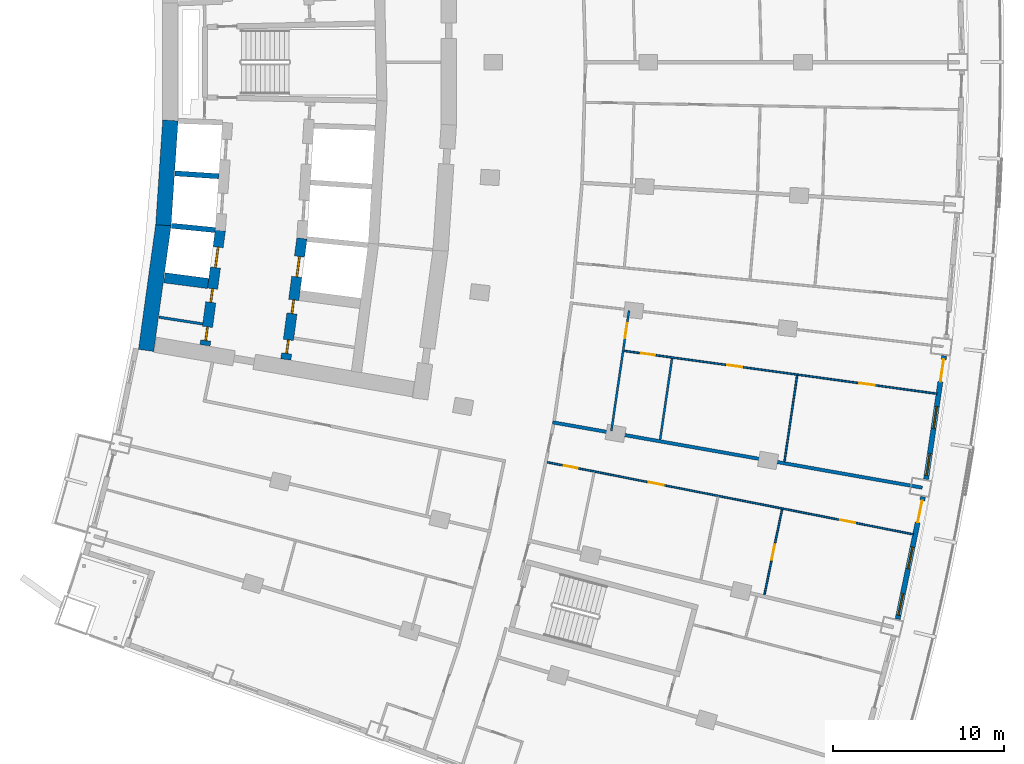
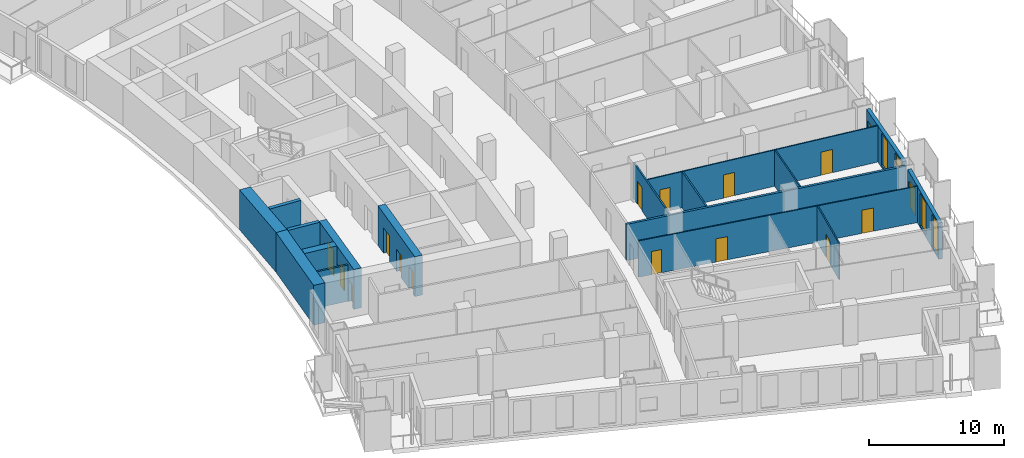
# One storey, part 15 of 25: 17 walls, 16 doors, 4 windows, 20 openings.
"""IFC4 building model written with IfcOpenShell, lengths in metres."""

from ifc_helpers import new_model, si_unit, direction, frame, frame_2d, origin, place, context, subcontext, project, spatial, rectangle, extrude, material, layer, layer_set, type_object, element, fill, save


model = new_model("IFC4")

# Units and contexts
model_context = context("Model", 3, precision=1e-05, world=origin(), true_north=direction((0.0, 1.0)))
body_context = subcontext(model_context, "Body", "Model", "MODEL_VIEW")
ifc_project = project(units=[si_unit("LENGTHUNIT", "METRE"), si_unit("AREAUNIT", "SQUARE_METRE"), si_unit("VOLUMEUNIT", "CUBIC_METRE"), si_unit("PLANEANGLEUNIT", "RADIAN"), si_unit("MASSUNIT", "GRAM", prefix="KILO")], contexts=[model_context])

# Site, building, storey
site_placement = place(None, origin())
site = spatial("IfcSite", under=ifc_project, at=site_placement, CompositionType="ELEMENT")
building_placement = place(site_placement, origin())
building = spatial("IfcBuilding", under=site, at=building_placement, Name="Alderwake Tower", CompositionType="ELEMENT")
storey_placement = place(building_placement, frame((0.0, 0.0, 46.39990234375)))
storey = spatial("IfcBuildingStorey", under=building, at=storey_placement, Name="L10", CompositionType="ELEMENT", Elevation=46.39990234375)

# Walls
ifc_material_1 = material(Name="Gypsum shaft wall system, rated")
ifc_layer_1 = layer(ifc_material_1, 0.14990234375)
ifc_layer_set_1 = layer_set([ifc_layer_1], Name="Core room partition 150")
wall_type_1 = type_object("IfcWallType", Name="Core room partition 150", PredefinedType="PARTITIONING", material=ifc_layer_set_1)
wall_1_placement = place(storey_placement, frame((16.2216796875, 46.0673828125, 0.0), z_axis=(0.0, 0.0, 1.0), x_axis=(0.988167260949, -0.153380130356, 0.0)))
element("IfcWall", 1, at=wall_1_placement, inside=storey, type_object=wall_type_1, Name="CW/L10/PR-161_+0", PredefinedType="PARTITIONING", context=body_context, shape_type="SweptSolid", body=[
    extrude(rectangle(XDim=2.593017578125, YDim=0.14990234375, at=frame_2d((1.29638671875, 0.0))), origin(), (0.0, 0.0, 1.0), 3.280029296875),
])
ifc_material_2 = material(Name="Concrete C70/85", Category="concrete")
ifc_layer_2 = layer(ifc_material_2, 0.89990234375)
ifc_layer_set_2 = layer_set([ifc_layer_2], Name="Core wall outer 900 C70-85")
wall_type_2 = type_object("IfcWallType", Name="Core wall outer 900 C70-85", PredefinedType="SHEAR", material=ifc_layer_set_2)
wall_2_placement = place(storey_placement, frame((15.46923828125, 44.1201171875, 0.0), z_axis=(0.0, 0.0, 1.0), x_axis=(0.136337234661, 0.990662484626, 0.0)))
element("IfcWall", 2, at=wall_2_placement, inside=storey, type_object=wall_type_2, Name="Core wall CW.042", PredefinedType="SHEAR", context=body_context, shape_type="SweptSolid", body=[
    extrude(rectangle(XDim=7.431396484375, YDim=0.89990234375, at=frame_2d((3.7158203125, 0.0))), origin(), (0.0, 0.0, 1.0), 3.60009765625),
])
wall_3_placement = place(storey_placement, frame((16.47900390625, 51.449951171875, 0.0), z_axis=(0.0, 0.0, 1.0), x_axis=(0.06689316208, 0.997760143956, 0.0)))
element("IfcWall", 3, at=wall_3_placement, inside=storey, type_object=wall_type_2, Name="Core wall CW.041", PredefinedType="SHEAR", context=body_context, shape_type="SweptSolid", body=[
    extrude(rectangle(XDim=6.149658203125, YDim=0.89990234375, at=frame_2d((3.07470703125, 0.0))), origin(), (0.0, 0.0, 1.0), 3.60009765625),
])
ifc_material_3 = material(Name="Concrete C70/85", Category="concrete")
ifc_layer_3 = layer(ifc_material_3, 0.300048828125)
ifc_layer_set_3 = layer_set([ifc_layer_3], Name="Core wall shaft 300 C70-85")
wall_type_3 = type_object("IfcWallType", Name="Core wall shaft 300 C70-85", PredefinedType="SHEAR", material=ifc_layer_set_3)
wall_4_placement = place(storey_placement, frame((16.9580078125, 51.4189453125, 0.0), z_axis=(0.0, 0.0, 1.0), x_axis=(0.995153154577, -0.098337169657, 0.0)))
element("IfcWall", 4, at=wall_4_placement, inside=storey, type_object=wall_type_3, Name="Core wall CW.065", PredefinedType="SHEAR", context=body_context, shape_type="SweptSolid", body=[
    extrude(rectangle(XDim=2.569580078125, YDim=0.300048828125, at=frame_2d((1.28466796875, 0.0))), origin(), (0.0, 0.0, 1.0), 3.60009765625),
])
wall_5_placement = place(storey_placement, frame((17.16357421875, 54.486083984375, 0.0), z_axis=(0.0, 0.0, 1.0), x_axis=(0.997758581961, -0.066916456292, 0.0)))
element("IfcWall", 5, at=wall_5_placement, inside=storey, type_object=wall_type_3, Name="Core wall CW.079", PredefinedType="SHEAR", context=body_context, shape_type="SweptSolid", body=[
    extrude(rectangle(XDim=2.568603515625, YDim=0.300048828125, at=frame_2d((1.2841796875, 0.0))), origin(), (0.0, 0.0, 1.0), 3.60009765625),
])

# Wall, openings, doors
ifc_material_4 = material(Name="Concrete C70/85", Category="concrete")
ifc_layer_4 = layer(ifc_material_4, 0.60009765625)
ifc_layer_set_4 = layer_set([ifc_layer_4], Name="Core wall spine 600 C70-85")
wall_type_4 = type_object("IfcWallType", Name="Core wall spine 600 C70-85", PredefinedType="SHEAR", material=ifc_layer_set_4)
wall_6_placement = place(storey_placement, frame((19.815185546875, 51.14697265625, 0.0), z_axis=(0.0, 0.0, 1.0), x_axis=(-0.131854836214, -0.991269036219, 0.0)))
wall_6 = element("IfcWall", 6, at=wall_6_placement, inside=storey, type_object=wall_type_4, Name="Core wall CW.033", PredefinedType="SHEAR", context=body_context, shape_type="SweptSolid", body=[
    extrude(rectangle(XDim=6.782470703125, YDim=0.60009765625, at=frame_2d((3.39111328125, 0.0))), origin(), (0.0, 0.0, 1.0), 3.60009765625),
])
opening_1_placement = place(wall_6_placement, frame((0.9921875, 0.0, 0.0)))
opening_1 = element("IfcOpeningElement", 7, at=opening_1_placement, cuts=wall_6, Name="Opening LD-LP1", PredefinedType="OPENING", context=body_context, shape_type="SweptSolid", body=[
    extrude(rectangle(XDim=1.199951171875, YDim=2.300048828125, at=frame_2d((0.60009765625, 1.14990234375))), frame((0.0, 0.31005859375, 0.0), z_axis=(0.0, -1.0, 0.0), x_axis=(1.0, 0.0, 0.0)), (0.0, 0.0, 1.0), 0.6201171875),
])
opening_2_placement = place(wall_6_placement, frame((5.699951171875, 0.0, 0.0)))
opening_2 = element("IfcOpeningElement", 8, at=opening_2_placement, cuts=wall_6, Name="Opening C009", PredefinedType="OPENING", context=body_context, shape_type="SweptSolid", body=[
    extrude(rectangle(XDim=0.800048828125, YDim=2.0, at=frame_2d((0.39990234375, 1.0))), frame((0.0, 0.31005859375, 0.0), z_axis=(0.0, -1.0, 0.0), x_axis=(1.0, 0.0, 0.0)), (0.0, 0.0, 1.0), 0.6201171875),
])
opening_3_placement = place(wall_6_placement, frame((3.4462890625, 0.0, 0.0)))
opening_3 = element("IfcOpeningElement", 9, at=opening_3_placement, cuts=wall_6, Name="Opening C010", PredefinedType="OPENING", context=body_context, shape_type="SweptSolid", body=[
    extrude(rectangle(XDim=0.800048828125, YDim=2.0, at=frame_2d((0.39990234375, 1.0))), frame((0.0, 0.31005859375, 0.0), z_axis=(0.0, -1.0, 0.0), x_axis=(1.0, 0.0, 0.0)), (0.0, 0.0, 1.0), 0.6201171875),
])
ifc_material_5 = material(Name="Stainless steel sliding leaf", Category="steel")
door_type_1 = type_object("IfcDoorType", Name="Lift landing door 1200", OperationType="SLIDING_TO_LEFT", PredefinedType="DOOR", material=ifc_material_5)
door_1_placement = place(opening_1_placement, origin())
door_1 = element("IfcDoor", 10, at=door_1_placement, inside=storey, type_object=door_type_1, Name="Lift landing door LP1", OperationType="SLIDING_TO_LEFT", OverallHeight=2.300048828125, OverallWidth=1.199951171875, PredefinedType="DOOR", context=body_context, shape_type="SweptSolid", body=[
    extrude(rectangle(XDim=1.199951171875, YDim=2.300048828125, at=frame_2d((0.60009765625, 1.14990234375))), frame((0.0, 0.050048828125, 0.0), z_axis=(0.0, -1.0, 0.0), x_axis=(1.0, 0.0, 0.0)), (0.0, 0.0, 1.0), 0.10009765625),
])
fill(opening_1, door_1)
ifc_material_6 = material(Name="Painted steel leaf, rated", Category="steel")
door_type_2 = type_object("IfcDoorType", Name="Riser access door 800", OperationType="SINGLE_SWING_LEFT", PredefinedType="DOOR", material=ifc_material_6)
door_2_placement = place(opening_2_placement, origin())
door_2 = element("IfcDoor", 11, at=door_2_placement, inside=storey, type_object=door_type_2, Name="Riser access door", OperationType="SINGLE_SWING_LEFT", OverallHeight=2.0, OverallWidth=0.800048828125, PredefinedType="DOOR", context=body_context, shape_type="SweptSolid", body=[
    extrude(rectangle(XDim=0.800048828125, YDim=2.0, at=frame_2d((0.39990234375, 1.0))), frame((0.0, 0.050048828125, 0.0), z_axis=(0.0, -1.0, 0.0), x_axis=(1.0, 0.0, 0.0)), (0.0, 0.0, 1.0), 0.10009765625),
])
fill(opening_2, door_2)
door_3_placement = place(opening_3_placement, origin())
door_3 = element("IfcDoor", 12, at=door_3_placement, inside=storey, type_object=door_type_2, Name="Riser access door", OperationType="SINGLE_SWING_RIGHT", OverallHeight=2.0, OverallWidth=0.800048828125, PredefinedType="DOOR", context=body_context, shape_type="SweptSolid", body=[
    extrude(rectangle(XDim=0.800048828125, YDim=2.0, at=frame_2d((0.39990234375, 1.0))), frame((0.0, 0.050048828125, 0.0), z_axis=(0.0, -1.0, 0.0), x_axis=(1.0, 0.0, 0.0)), (0.0, 0.0, 1.0), 0.10009765625),
])
fill(opening_3, door_3)

wall_7_placement = place(storey_placement, frame((23.647705078125, 43.588134765625, 0.0), z_axis=(0.0, 0.0, 1.0), x_axis=(0.132069785658, 0.991240420744, 0.0)))
wall_7 = element("IfcWall", 13, at=wall_7_placement, inside=storey, type_object=wall_type_4, Name="Core wall CW.047", PredefinedType="SHEAR", context=body_context, shape_type="SweptSolid", body=[
    extrude(rectangle(XDim=7.150390625, YDim=0.60009765625, at=frame_2d((3.5751953125, 0.0))), origin(), (0.0, 0.0, 1.0), 3.60009765625),
])
opening_4_placement = place(wall_7_placement, frame((4.88134765625, 0.0, 0.0)))
opening_4 = element("IfcOpeningElement", 14, at=opening_4_placement, cuts=wall_7, Name="Opening LD-LP4", PredefinedType="OPENING", context=body_context, shape_type="SweptSolid", body=[
    extrude(rectangle(XDim=1.199951171875, YDim=2.300048828125, at=frame_2d((0.60009765625, 1.14990234375))), frame((0.0, 0.31005859375, 0.0), z_axis=(0.0, -1.0, 0.0), x_axis=(1.0, 0.0, 0.0)), (0.0, 0.0, 1.0), 0.6201171875),
])
opening_5_placement = place(wall_7_placement, frame((0.35791015625, 0.0, 0.0)))
opening_5 = element("IfcOpeningElement", 15, at=opening_5_placement, cuts=wall_7, Name="Opening C016", PredefinedType="OPENING", context=body_context, shape_type="SweptSolid", body=[
    extrude(rectangle(XDim=0.800048828125, YDim=2.0, at=frame_2d((0.39990234375, 1.0))), frame((0.0, 0.31005859375, 0.0), z_axis=(0.0, -1.0, 0.0), x_axis=(1.0, 0.0, 0.0)), (0.0, 0.0, 1.0), 0.6201171875),
])
opening_6_placement = place(wall_7_placement, frame((2.719482421875, 0.0, 0.0)))
opening_6 = element("IfcOpeningElement", 16, at=opening_6_placement, cuts=wall_7, Name="Opening C017", PredefinedType="OPENING", context=body_context, shape_type="SweptSolid", body=[
    extrude(rectangle(XDim=0.800048828125, YDim=2.0, at=frame_2d((0.39990234375, 1.0))), frame((0.0, 0.31005859375, 0.0), z_axis=(0.0, -1.0, 0.0), x_axis=(1.0, 0.0, 0.0)), (0.0, 0.0, 1.0), 0.6201171875),
])
door_4_placement = place(opening_4_placement, origin())
door_4 = element("IfcDoor", 17, at=door_4_placement, inside=storey, type_object=door_type_1, Name="Lift landing door LP4", OperationType="SLIDING_TO_LEFT", OverallHeight=2.300048828125, OverallWidth=1.199951171875, PredefinedType="DOOR", context=body_context, shape_type="SweptSolid", body=[
    extrude(rectangle(XDim=1.199951171875, YDim=2.300048828125, at=frame_2d((0.60009765625, 1.14990234375))), frame((0.0, 0.050048828125, 0.0), z_axis=(0.0, -1.0, 0.0), x_axis=(1.0, 0.0, 0.0)), (0.0, 0.0, 1.0), 0.10009765625),
])
fill(opening_4, door_4)
door_5_placement = place(opening_5_placement, origin())
door_5 = element("IfcDoor", 18, at=door_5_placement, inside=storey, type_object=door_type_2, Name="Riser access door", OperationType="SINGLE_SWING_LEFT", OverallHeight=2.0, OverallWidth=0.800048828125, PredefinedType="DOOR", context=body_context, shape_type="SweptSolid", body=[
    extrude(rectangle(XDim=0.800048828125, YDim=2.0, at=frame_2d((0.39990234375, 1.0))), frame((0.0, 0.050048828125, 0.0), z_axis=(0.0, -1.0, 0.0), x_axis=(1.0, 0.0, 0.0)), (0.0, 0.0, 1.0), 0.10009765625),
])
fill(opening_5, door_5)
door_6_placement = place(opening_6_placement, origin())
door_6 = element("IfcDoor", 19, at=door_6_placement, inside=storey, type_object=door_type_2, Name="Riser access door", OperationType="SINGLE_SWING_RIGHT", OverallHeight=2.0, OverallWidth=0.800048828125, PredefinedType="DOOR", context=body_context, shape_type="SweptSolid", body=[
    extrude(rectangle(XDim=0.800048828125, YDim=2.0, at=frame_2d((0.39990234375, 1.0))), frame((0.0, 0.050048828125, 0.0), z_axis=(0.0, -1.0, 0.0), x_axis=(1.0, 0.0, 0.0)), (0.0, 0.0, 1.0), 0.10009765625),
])
fill(opening_6, door_6)

# Wall
wall_8_placement = place(storey_placement, frame((16.5390625, 48.373291015625, 0.0), z_axis=(0.0, 0.0, 1.0), x_axis=(0.99156081818, -0.129642369037, 0.0)))
element("IfcWall", 20, at=wall_8_placement, inside=storey, type_object=wall_type_4, Name="Core wall CW.067", PredefinedType="SHEAR", context=body_context, shape_type="SweptSolid", body=[
    extrude(rectangle(XDim=2.581787109375, YDim=0.60009765625, at=frame_2d((1.291015625, 0.0))), origin(), (0.0, 0.0, 1.0), 3.60009765625),
])

# Wall, openings, door, windows
ifc_material_7 = material(Name="Precast concrete C50/60 spandrel panel", Category="concrete")
ifc_layer_5 = layer(ifc_material_7, 0.300048828125)
ifc_layer_set_5 = layer_set([ifc_layer_5], Name="External wall EW1 Precast concrete C50/60 spandrel")
wall_type_5 = type_object("IfcWallType", Name="External wall EW1 Precast concrete C50/60 spandrel", PredefinedType="SOLIDWALL", material=ifc_layer_set_5)
wall_9_placement = place(storey_placement, frame((59.474365234375, 28.39111328125, 0.0), z_axis=(0.0, 0.0, 1.0), x_axis=(0.202769138353, 0.979226570581, 0.0)))
wall_9 = element("IfcWall", 21, at=wall_9_placement, inside=storey, type_object=wall_type_5, Name="External wall 13", PredefinedType="SOLIDWALL", context=body_context, shape_type="SweptSolid", body=[
    extrude(rectangle(XDim=7.30615234375, YDim=0.300048828125, at=frame_2d((3.653076171875, 0.0))), origin(), (0.0, 0.0, 1.0), 3.280029296875),
])
opening_7_placement = place(wall_9_placement, frame((0.222900390625, 0.0, 0.199951171875)))
opening_7 = element("IfcOpeningElement", 22, at=opening_7_placement, cuts=wall_9, Name="Opening W1", PredefinedType="OPENING", context=body_context, shape_type="SweptSolid", body=[
    extrude(rectangle(XDim=1.300048828125, YDim=2.89990234375, at=frame_2d((0.64990234375, 1.449951171875))), frame((0.0, 0.159912109375, 0.0), z_axis=(0.0, -1.0, 0.0), x_axis=(1.0, 0.0, 0.0)), (0.0, 0.0, 1.0), 0.320068359375),
])
opening_8_placement = place(wall_9_placement, frame((3.0029296875, 0.0, 0.199951171875)))
opening_8 = element("IfcOpeningElement", 23, at=opening_8_placement, cuts=wall_9, Name="Opening W1", PredefinedType="OPENING", context=body_context, shape_type="SweptSolid", body=[
    extrude(rectangle(XDim=1.300048828125, YDim=2.89990234375, at=frame_2d((0.64990234375, 1.449951171875))), frame((0.0, 0.159912109375, 0.0), z_axis=(0.0, -1.0, 0.0), x_axis=(1.0, 0.0, 0.0)), (0.0, 0.0, 1.0), 0.320068359375),
])
opening_9_placement = place(wall_9_placement, frame((5.783203125, 0.0, 0.0)))
opening_9 = element("IfcOpeningElement", 24, at=opening_9_placement, cuts=wall_9, Name="Opening D04", PredefinedType="OPENING", context=body_context, shape_type="SweptSolid", body=[
    extrude(rectangle(XDim=1.300048828125, YDim=2.39990234375, at=frame_2d((0.64990234375, 1.199951171875))), frame((0.0, 0.159912109375, 0.0), z_axis=(0.0, -1.0, 0.0), x_axis=(1.0, 0.0, 0.0)), (0.0, 0.0, 1.0), 0.320068359375),
])
ifc_material_8 = material(Name="Bronze tinted glass in aluminium frame", Category="aluminium")
door_type_3 = type_object("IfcDoorType", Name="Balcony door BD sliding", OperationType="SLIDING_TO_LEFT", PredefinedType="DOOR", material=ifc_material_8)
door_7_placement = place(opening_9_placement, origin())
door_7 = element("IfcDoor", 25, at=door_7_placement, inside=storey, type_object=door_type_3, Name="Door D04", OperationType="SLIDING_TO_LEFT", OverallHeight=2.39990234375, OverallWidth=1.300048828125, PredefinedType="DOOR", context=body_context, shape_type="SweptSolid", body=[
    extrude(rectangle(XDim=1.300048828125, YDim=2.39990234375, at=frame_2d((0.64990234375, 1.199951171875))), frame((0.0, 0.02490234375, 0.0), z_axis=(0.0, -1.0, 0.0), x_axis=(1.0, 0.0, 0.0)), (0.0, 0.0, 1.0), 0.050048828125),
])
fill(opening_9, door_7)
ifc_material_9 = material(Name="Bronze tinted glass in aluminium frame", Category="aluminium")
window_type = type_object("IfcWindowType", Name="Window W1 tall fixed and vent", PartitioningType="DOUBLE_PANEL_VERTICAL", PredefinedType="WINDOW", material=ifc_material_9)
window_1_placement = place(opening_7_placement, origin())
window_1 = element("IfcWindow", 26, at=window_1_placement, inside=storey, type_object=window_type, Name="Window W1 tall fixed and vent", OverallHeight=2.89990234375, OverallWidth=1.300048828125, PartitioningType="DOUBLE_PANEL_VERTICAL", PredefinedType="WINDOW", context=body_context, shape_type="SweptSolid", body=[
    extrude(rectangle(XDim=1.300048828125, YDim=2.89990234375, at=frame_2d((0.64990234375, 1.449951171875))), frame((0.0, 0.030029296875, 0.0), z_axis=(0.0, -1.0, 0.0), x_axis=(1.0, 0.0, 0.0)), (0.0, 0.0, 1.0), 0.06005859375),
])
fill(opening_7, window_1)
window_2_placement = place(opening_8_placement, origin())
window_2 = element("IfcWindow", 27, at=window_2_placement, inside=storey, type_object=window_type, Name="Window W1 tall fixed and vent", OverallHeight=2.89990234375, OverallWidth=1.300048828125, PartitioningType="DOUBLE_PANEL_VERTICAL", PredefinedType="WINDOW", context=body_context, shape_type="SweptSolid", body=[
    extrude(rectangle(XDim=1.300048828125, YDim=2.89990234375, at=frame_2d((0.64990234375, 1.449951171875))), frame((0.0, 0.030029296875, 0.0), z_axis=(0.0, -1.0, 0.0), x_axis=(1.0, 0.0, 0.0)), (0.0, 0.0, 1.0), 0.06005859375),
])
fill(opening_8, window_2)

wall_10_placement = place(storey_placement, frame((61.13818359375, 36.577880859375, 0.0), z_axis=(0.0, 0.0, 1.0), x_axis=(0.145326596696, 0.989383737633, 0.0)))
wall_10 = element("IfcWall", 28, at=wall_10_placement, inside=storey, type_object=wall_type_5, Name="External wall 14", PredefinedType="SOLIDWALL", context=body_context, shape_type="SweptSolid", body=[
    extrude(rectangle(XDim=7.30615234375, YDim=0.300048828125, at=frame_2d((3.653076171875, 0.0))), origin(), (0.0, 0.0, 1.0), 3.280029296875),
])
opening_10_placement = place(wall_10_placement, frame((0.222900390625, 0.0, 0.199951171875)))
opening_10 = element("IfcOpeningElement", 29, at=opening_10_placement, cuts=wall_10, Name="Opening W1", PredefinedType="OPENING", context=body_context, shape_type="SweptSolid", body=[
    extrude(rectangle(XDim=1.300048828125, YDim=2.89990234375, at=frame_2d((0.64990234375, 1.449951171875))), frame((0.0, 0.159912109375, 0.0), z_axis=(0.0, -1.0, 0.0), x_axis=(1.0, 0.0, 0.0)), (0.0, 0.0, 1.0), 0.320068359375),
])
opening_11_placement = place(wall_10_placement, frame((3.0029296875, 0.0, 0.199951171875)))
opening_11 = element("IfcOpeningElement", 30, at=opening_11_placement, cuts=wall_10, Name="Opening W1", PredefinedType="OPENING", context=body_context, shape_type="SweptSolid", body=[
    extrude(rectangle(XDim=1.300048828125, YDim=2.89990234375, at=frame_2d((0.64990234375, 1.449951171875))), frame((0.0, 0.159912109375, 0.0), z_axis=(0.0, -1.0, 0.0), x_axis=(1.0, 0.0, 0.0)), (0.0, 0.0, 1.0), 0.320068359375),
])
opening_12_placement = place(wall_10_placement, frame((5.783203125, 0.0, 0.0)))
opening_12 = element("IfcOpeningElement", 31, at=opening_12_placement, cuts=wall_10, Name="Opening D05", PredefinedType="OPENING", context=body_context, shape_type="SweptSolid", body=[
    extrude(rectangle(XDim=1.300048828125, YDim=2.39990234375, at=frame_2d((0.64990234375, 1.199951171875))), frame((0.0, 0.159912109375, 0.0), z_axis=(0.0, -1.0, 0.0), x_axis=(1.0, 0.0, 0.0)), (0.0, 0.0, 1.0), 0.320068359375),
])
door_8_placement = place(opening_12_placement, origin())
door_8 = element("IfcDoor", 32, at=door_8_placement, inside=storey, type_object=door_type_3, Name="Door D05", OperationType="SLIDING_TO_LEFT", OverallHeight=2.39990234375, OverallWidth=1.300048828125, PredefinedType="DOOR", context=body_context, shape_type="SweptSolid", body=[
    extrude(rectangle(XDim=1.300048828125, YDim=2.39990234375, at=frame_2d((0.64990234375, 1.199951171875))), frame((0.0, 0.02490234375, 0.0), z_axis=(0.0, -1.0, 0.0), x_axis=(1.0, 0.0, 0.0)), (0.0, 0.0, 1.0), 0.050048828125),
])
fill(opening_12, door_8)
window_3_placement = place(opening_10_placement, origin())
window_3 = element("IfcWindow", 33, at=window_3_placement, inside=storey, type_object=window_type, Name="Window W1 tall fixed and vent", OverallHeight=2.89990234375, OverallWidth=1.300048828125, PartitioningType="DOUBLE_PANEL_VERTICAL", PredefinedType="WINDOW", context=body_context, shape_type="SweptSolid", body=[
    extrude(rectangle(XDim=1.300048828125, YDim=2.89990234375, at=frame_2d((0.64990234375, 1.449951171875))), frame((0.0, 0.030029296875, 0.0), z_axis=(0.0, -1.0, 0.0), x_axis=(1.0, 0.0, 0.0)), (0.0, 0.0, 1.0), 0.06005859375),
])
fill(opening_10, window_3)
window_4_placement = place(opening_11_placement, origin())
window_4 = element("IfcWindow", 34, at=window_4_placement, inside=storey, type_object=window_type, Name="Window W1 tall fixed and vent", OverallHeight=2.89990234375, OverallWidth=1.300048828125, PartitioningType="DOUBLE_PANEL_VERTICAL", PredefinedType="WINDOW", context=body_context, shape_type="SweptSolid", body=[
    extrude(rectangle(XDim=1.300048828125, YDim=2.89990234375, at=frame_2d((0.64990234375, 1.449951171875))), frame((0.0, 0.030029296875, 0.0), z_axis=(0.0, -1.0, 0.0), x_axis=(1.0, 0.0, 0.0)), (0.0, 0.0, 1.0), 0.06005859375),
])
fill(opening_11, window_4)

# Wall
ifc_material_10 = material(Name="Dense block masonry wall", Category="masonry")
ifc_layer_6 = layer(ifc_material_10, 0.199951171875)
ifc_layer_set_6 = layer_set([ifc_layer_6], Name="Party wall 200")
wall_type_6 = type_object("IfcWallType", Name="Party wall 200", PredefinedType="SOLIDWALL", material=ifc_layer_set_6)
wall_11_placement = place(storey_placement, frame((60.9150390625, 36.083984375, 0.0), z_axis=(0.0, 0.0, 1.0), x_axis=(-0.984728497917, 0.174097057385, 0.0)))
element("IfcWall", 35, at=wall_11_placement, inside=storey, type_object=wall_type_6, Name="WL/L10/W08", PredefinedType="SOLIDWALL", context=body_context, shape_type="SweptSolid", body=[
    extrude(rectangle(XDim=21.9814453125, YDim=0.199951171875, at=frame_2d((10.99072265625, 0.0))), origin(), (0.0, 0.0, 1.0), 3.280029296875),
])

# Wall, openings, doors
ifc_material_11 = material(Name="Gypsum board on metal studs")
ifc_layer_7 = layer(ifc_material_11, 0.10009765625)
ifc_layer_set_7 = layer_set([ifc_layer_7], Name="Unit partition 100")
wall_type_7 = type_object("IfcWallType", Name="Unit partition 100", PredefinedType="PARTITIONING", material=ifc_layer_set_7)
wall_12_placement = place(storey_placement, frame((60.39892578125, 33.35107421875, 0.0), z_axis=(0.0, 0.0, 1.0), x_axis=(-0.981161329004, 0.193190182119, 0.0)))
wall_12 = element("IfcWall", 36, at=wall_12_placement, inside=storey, type_object=wall_type_7, Name="WL/L10/W66", PredefinedType="PARTITIONING", context=body_context, shape_type="SweptSolid", body=[
    extrude(rectangle(XDim=21.861328125, YDim=0.10009765625, at=frame_2d((10.9306640625, 0.0))), origin(), (0.0, 0.0, 1.0), 3.280029296875),
])
opening_13_placement = place(wall_12_placement, frame((14.896728515625, 0.0, 0.0)))
opening_13 = element("IfcOpeningElement", 37, at=opening_13_placement, cuts=wall_12, Name="Opening R02-U05.1", PredefinedType="OPENING", context=body_context, shape_type="SweptSolid", body=[
    extrude(rectangle(XDim=0.89990234375, YDim=2.10009765625, at=frame_2d((0.449951171875, 1.050048828125))), frame((0.0, 0.06005859375, 0.0), z_axis=(0.0, -1.0, 0.0), x_axis=(1.0, 0.0, 0.0)), (0.0, 0.0, 1.0), 0.1201171875),
])
opening_14_placement = place(wall_12_placement, frame((20.052001953125, 0.0, 0.0)))
opening_14 = element("IfcOpeningElement", 38, at=opening_14_placement, cuts=wall_12, Name="Opening R02-U05.4", PredefinedType="OPENING", context=body_context, shape_type="SweptSolid", body=[
    extrude(rectangle(XDim=0.800048828125, YDim=2.10009765625, at=frame_2d((0.39990234375, 1.050048828125))), frame((0.0, 0.06005859375, 0.0), z_axis=(0.0, -1.0, 0.0), x_axis=(1.0, 0.0, 0.0)), (0.0, 0.0, 1.0), 0.1201171875),
])
opening_15_placement = place(wall_12_placement, frame((3.465087890625, 0.0, 0.0)))
opening_15 = element("IfcOpeningElement", 39, at=opening_15_placement, cuts=wall_12, Name="Opening R02-U05.5", PredefinedType="OPENING", context=body_context, shape_type="SweptSolid", body=[
    extrude(rectangle(XDim=0.89990234375, YDim=2.10009765625, at=frame_2d((0.449951171875, 1.050048828125))), frame((0.0, 0.06005859375, 0.0), z_axis=(0.0, -1.0, 0.0), x_axis=(1.0, 0.0, 0.0)), (0.0, 0.0, 1.0), 0.1201171875),
])
ifc_material_12 = material(Name="Painted timber leaf", Category="wood")
door_type_4 = type_object("IfcDoorType", Name="Bathroom door 800", OperationType="SINGLE_SWING_LEFT", PredefinedType="DOOR", material=ifc_material_12)
door_9_placement = place(opening_14_placement, origin())
door_9 = element("IfcDoor", 40, at=door_9_placement, inside=storey, type_object=door_type_4, Name="DR/L10/U05.4", OperationType="SINGLE_SWING_LEFT", OverallHeight=2.10009765625, OverallWidth=0.800048828125, PredefinedType="DOOR", context=body_context, shape_type="SweptSolid", body=[
    extrude(rectangle(XDim=0.800048828125, YDim=2.10009765625, at=frame_2d((0.39990234375, 1.050048828125))), frame((0.0, 0.02490234375, 0.0), z_axis=(0.0, -1.0, 0.0), x_axis=(1.0, 0.0, 0.0)), (0.0, 0.0, 1.0), 0.050048828125),
])
fill(opening_14, door_9)
ifc_material_13 = material(Name="Painted timber leaf", Category="wood")
door_type_5 = type_object("IfcDoorType", Name="Room door 900", OperationType="SINGLE_SWING_LEFT", PredefinedType="DOOR", material=ifc_material_13)
door_10_placement = place(opening_13_placement, origin())
door_10 = element("IfcDoor", 41, at=door_10_placement, inside=storey, type_object=door_type_5, Name="DR/L10/U05.1", OperationType="SINGLE_SWING_LEFT", OverallHeight=2.10009765625, OverallWidth=0.89990234375, PredefinedType="DOOR", context=body_context, shape_type="SweptSolid", body=[
    extrude(rectangle(XDim=0.89990234375, YDim=2.10009765625, at=frame_2d((0.449951171875, 1.050048828125))), frame((0.0, 0.02490234375, 0.0), z_axis=(0.0, -1.0, 0.0), x_axis=(1.0, 0.0, 0.0)), (0.0, 0.0, 1.0), 0.050048828125),
])
fill(opening_13, door_10)
door_11_placement = place(opening_15_placement, origin())
door_11 = element("IfcDoor", 42, at=door_11_placement, inside=storey, type_object=door_type_5, Name="DR/L10/U05.5", OperationType="SINGLE_SWING_LEFT", OverallHeight=2.10009765625, OverallWidth=0.89990234375, PredefinedType="DOOR", context=body_context, shape_type="SweptSolid", body=[
    extrude(rectangle(XDim=0.89990234375, YDim=2.10009765625, at=frame_2d((0.449951171875, 1.050048828125))), frame((0.0, 0.02490234375, 0.0), z_axis=(0.0, -1.0, 0.0), x_axis=(1.0, 0.0, 0.0)), (0.0, 0.0, 1.0), 0.050048828125),
])
fill(opening_15, door_11)

wall_13_placement = place(storey_placement, frame((61.77294921875, 41.5830078125, 0.0), z_axis=(0.0, 0.0, 1.0), x_axis=(-0.990745740942, 0.13573089849, 0.0)))
wall_13 = element("IfcWall", 43, at=wall_13_placement, inside=storey, type_object=wall_type_7, Name="WL/L10/W74", PredefinedType="PARTITIONING", context=body_context, shape_type="SweptSolid", body=[
    extrude(rectangle(XDim=18.483642578125, YDim=0.10009765625, at=frame_2d((9.24169921875, 0.0))), origin(), (0.0, 0.0, 1.0), 3.280029296875),
])
opening_16_placement = place(wall_13_placement, frame((11.4990234375, 0.0, 0.0)))
opening_16 = element("IfcOpeningElement", 44, at=opening_16_placement, cuts=wall_13, Name="Opening R02-U06.1", PredefinedType="OPENING", context=body_context, shape_type="SweptSolid", body=[
    extrude(rectangle(XDim=0.89990234375, YDim=2.10009765625, at=frame_2d((0.449951171875, 1.050048828125))), frame((0.0, 0.06005859375, 0.0), z_axis=(0.0, -1.0, 0.0), x_axis=(1.0, 0.0, 0.0)), (0.0, 0.0, 1.0), 0.1201171875),
])
opening_17_placement = place(wall_13_placement, frame((16.6640625, 0.0, 0.0)))
opening_17 = element("IfcOpeningElement", 45, at=opening_17_placement, cuts=wall_13, Name="Opening R02-U06.4", PredefinedType="OPENING", context=body_context, shape_type="SweptSolid", body=[
    extrude(rectangle(XDim=0.800048828125, YDim=2.10009765625, at=frame_2d((0.39990234375, 1.050048828125))), frame((0.0, 0.06005859375, 0.0), z_axis=(0.0, -1.0, 0.0), x_axis=(1.0, 0.0, 0.0)), (0.0, 0.0, 1.0), 0.1201171875),
])
opening_18_placement = place(wall_13_placement, frame((3.676513671875, 0.0, 0.0)))
opening_18 = element("IfcOpeningElement", 46, at=opening_18_placement, cuts=wall_13, Name="Opening R02-U06.5", PredefinedType="OPENING", context=body_context, shape_type="SweptSolid", body=[
    extrude(rectangle(XDim=0.89990234375, YDim=2.10009765625, at=frame_2d((0.449951171875, 1.050048828125))), frame((0.0, 0.06005859375, 0.0), z_axis=(0.0, -1.0, 0.0), x_axis=(1.0, 0.0, 0.0)), (0.0, 0.0, 1.0), 0.1201171875),
])
door_12_placement = place(opening_17_placement, origin())
door_12 = element("IfcDoor", 47, at=door_12_placement, inside=storey, type_object=door_type_4, Name="DR/L10/U06.4", OperationType="SINGLE_SWING_LEFT", OverallHeight=2.10009765625, OverallWidth=0.800048828125, PredefinedType="DOOR", context=body_context, shape_type="SweptSolid", body=[
    extrude(rectangle(XDim=0.800048828125, YDim=2.10009765625, at=frame_2d((0.39990234375, 1.050048828125))), frame((0.0, 0.02490234375, 0.0), z_axis=(0.0, -1.0, 0.0), x_axis=(1.0, 0.0, 0.0)), (0.0, 0.0, 1.0), 0.050048828125),
])
fill(opening_17, door_12)
door_13_placement = place(opening_16_placement, origin())
door_13 = element("IfcDoor", 48, at=door_13_placement, inside=storey, type_object=door_type_5, Name="DR/L10/U06.1", OperationType="SINGLE_SWING_LEFT", OverallHeight=2.10009765625, OverallWidth=0.89990234375, PredefinedType="DOOR", context=body_context, shape_type="SweptSolid", body=[
    extrude(rectangle(XDim=0.89990234375, YDim=2.10009765625, at=frame_2d((0.449951171875, 1.050048828125))), frame((0.0, 0.02490234375, 0.0), z_axis=(0.0, -1.0, 0.0), x_axis=(1.0, 0.0, 0.0)), (0.0, 0.0, 1.0), 0.050048828125),
])
fill(opening_16, door_13)
door_14_placement = place(opening_18_placement, origin())
door_14 = element("IfcDoor", 49, at=door_14_placement, inside=storey, type_object=door_type_5, Name="DR/L10/U06.5", OperationType="SINGLE_SWING_LEFT", OverallHeight=2.10009765625, OverallWidth=0.89990234375, PredefinedType="DOOR", context=body_context, shape_type="SweptSolid", body=[
    extrude(rectangle(XDim=0.89990234375, YDim=2.10009765625, at=frame_2d((0.449951171875, 1.050048828125))), frame((0.0, 0.02490234375, 0.0), z_axis=(0.0, -1.0, 0.0), x_axis=(1.0, 0.0, 0.0)), (0.0, 0.0, 1.0), 0.050048828125),
])
fill(opening_18, door_14)

# Wall, opening, door
wall_14_placement = place(storey_placement, frame((51.67138671875, 29.81005859375, 0.0), z_axis=(0.0, 0.0, 1.0), x_axis=(0.202442866735, 0.979294075193, 0.0)))
wall_14 = element("IfcWall", 50, at=wall_14_placement, inside=storey, type_object=wall_type_7, Name="WL/L10/W85", PredefinedType="PARTITIONING", context=body_context, shape_type="SweptSolid", body=[
    extrude(rectangle(XDim=5.109619140625, YDim=0.10009765625, at=frame_2d((2.5546875, 0.0))), origin(), (0.0, 0.0, 1.0), 3.280029296875),
])
opening_19_placement = place(wall_14_placement, frame((2.10498046875, 0.0, 0.0)))
opening_19 = element("IfcOpeningElement", 51, at=opening_19_placement, cuts=wall_14, Name="Opening R02-U05.2", PredefinedType="OPENING", context=body_context, shape_type="SweptSolid", body=[
    extrude(rectangle(XDim=0.89990234375, YDim=2.10009765625, at=frame_2d((0.449951171875, 1.050048828125))), frame((0.0, 0.06005859375, 0.0), z_axis=(0.0, -1.0, 0.0), x_axis=(1.0, 0.0, 0.0)), (0.0, 0.0, 1.0), 0.1201171875),
])
door_15_placement = place(opening_19_placement, origin())
door_15 = element("IfcDoor", 52, at=door_15_placement, inside=storey, type_object=door_type_5, Name="DR/L10/U05.2", OperationType="SINGLE_SWING_LEFT", OverallHeight=2.10009765625, OverallWidth=0.89990234375, PredefinedType="DOOR", context=body_context, shape_type="SweptSolid", body=[
    extrude(rectangle(XDim=0.89990234375, YDim=2.10009765625, at=frame_2d((0.449951171875, 1.050048828125))), frame((0.0, 0.02490234375, 0.0), z_axis=(0.0, -1.0, 0.0), x_axis=(1.0, 0.0, 0.0)), (0.0, 0.0, 1.0), 0.050048828125),
])
fill(opening_19, door_15)

# Wall
wall_15_placement = place(storey_placement, frame((52.847412109375, 37.614013671875, 0.0), z_axis=(0.0, 0.0, 1.0), x_axis=(0.145353214314, 0.989379827512, 0.0)))
element("IfcWall", 53, at=wall_15_placement, inside=storey, type_object=wall_type_7, Name="WL/L10/W86", PredefinedType="PARTITIONING", context=body_context, shape_type="SweptSolid", body=[
    extrude(rectangle(XDim=5.0927734375, YDim=0.10009765625, at=frame_2d((2.54638671875, 0.0))), origin(), (0.0, 0.0, 1.0), 3.280029296875),
])

# Wall, opening, door
ifc_material_14 = material(Name="Moisture resistant gypsum board on metal studs")
ifc_layer_8 = layer(ifc_material_14, 0.1201171875)
ifc_layer_set_8 = layer_set([ifc_layer_8], Name="Wet room partition 120")
wall_type_8 = type_object("IfcWallType", Name="Wet room partition 120", PredefinedType="PARTITIONING", material=ifc_layer_set_8)
wall_16_placement = place(storey_placement, frame((43.74462890625, 46.447509765625, 0.0), z_axis=(0.0, 0.0, 1.0), x_axis=(-0.145290574876, -0.989389028063, 0.0)))
wall_16 = element("IfcWall", 54, at=wall_16_placement, inside=storey, type_object=wall_type_8, Name="WL/L10/W53", PredefinedType="PARTITIONING", context=body_context, shape_type="SweptSolid", body=[
    extrude(rectangle(XDim=7.117919921875, YDim=0.1201171875, at=frame_2d((3.55908203125, 0.0))), origin(), (0.0, 0.0, 1.0), 3.280029296875),
])
opening_20_placement = place(wall_16_placement, frame((0.736572265625, 0.0, 0.0)))
opening_20 = element("IfcOpeningElement", 55, at=opening_20_placement, cuts=wall_16, Name="Opening R02-U06.3", PredefinedType="OPENING", context=body_context, shape_type="SweptSolid", body=[
    extrude(rectangle(XDim=0.89990234375, YDim=2.10009765625, at=frame_2d((0.449951171875, 1.050048828125))), frame((0.0, 0.070068359375, 0.0), z_axis=(0.0, -1.0, 0.0), x_axis=(1.0, 0.0, 0.0)), (0.0, 0.0, 1.0), 0.14013671875),
])
door_16_placement = place(opening_20_placement, origin())
door_16 = element("IfcDoor", 56, at=door_16_placement, inside=storey, type_object=door_type_5, Name="DR/L10/U06.3", OperationType="SINGLE_SWING_LEFT", OverallHeight=2.10009765625, OverallWidth=0.89990234375, PredefinedType="DOOR", context=body_context, shape_type="SweptSolid", body=[
    extrude(rectangle(XDim=0.89990234375, YDim=2.10009765625, at=frame_2d((0.449951171875, 1.050048828125))), frame((0.0, 0.02490234375, 0.0), z_axis=(0.0, -1.0, 0.0), x_axis=(1.0, 0.0, 0.0)), (0.0, 0.0, 1.0), 0.050048828125),
])
fill(opening_20, door_16)

# Wall
wall_17_placement = place(storey_placement, frame((45.56640625, 38.90087890625, 0.0), z_axis=(0.0, 0.0, 1.0), x_axis=(0.145238137818, 0.989396726962, 0.0)))
element("IfcWall", 57, at=wall_17_placement, inside=storey, type_object=wall_type_8, Name="WL/L10/W59", PredefinedType="PARTITIONING", context=body_context, shape_type="SweptSolid", body=[
    extrude(rectangle(XDim=4.8076171875, YDim=0.1201171875, at=frame_2d((2.40380859375, 0.0))), origin(), (0.0, 0.0, 1.0), 3.280029296875),
])

save(model, "model.ifc")
